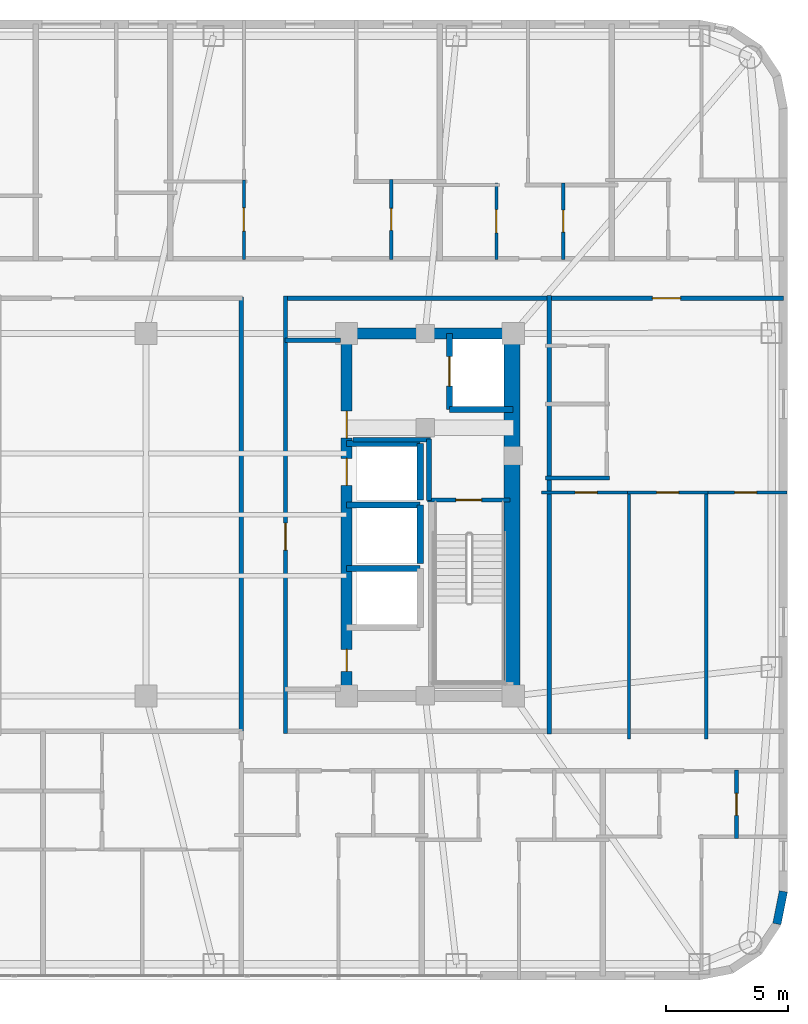
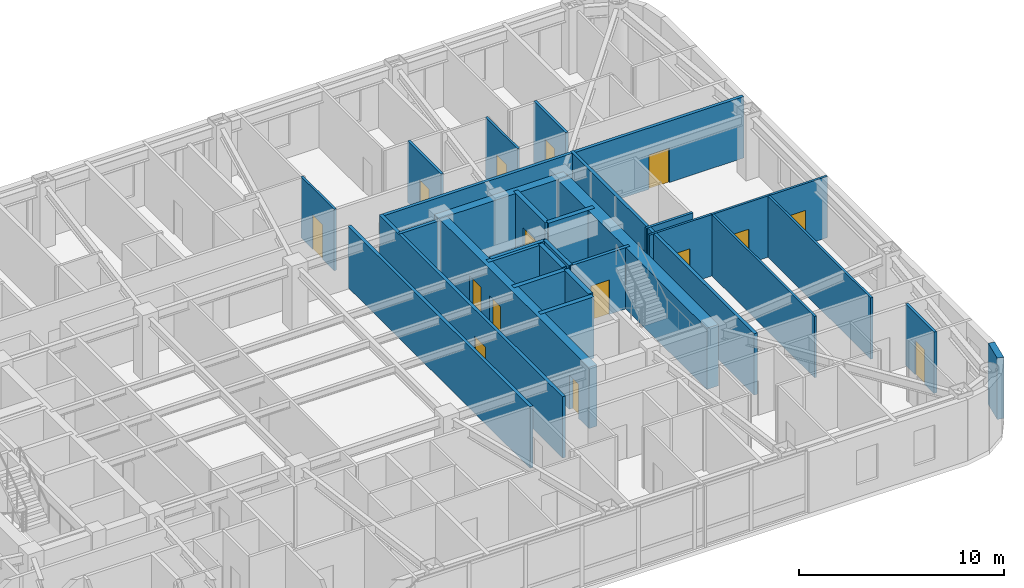
# One storey, part 12 of 17: 30 walls, 15 doors, 15 openings.
"""IFC4 building model written with IfcOpenShell, lengths in metres."""

from ifc_helpers import new_model, si_unit, direction, frame, frame_2d, origin, place, context, subcontext, project, spatial, rectangle, extrude, material, layer, layer_set, type_object, element, fill, save


model = new_model("IFC4")

# Units and contexts
model_context = context("Model", 3, precision=1e-05, world=origin(), true_north=direction((0.0, 1.0)))
body_context = subcontext(model_context, "Body", "Model", "MODEL_VIEW")
ifc_project = project(units=[si_unit("LENGTHUNIT", "METRE"), si_unit("AREAUNIT", "SQUARE_METRE"), si_unit("VOLUMEUNIT", "CUBIC_METRE"), si_unit("PLANEANGLEUNIT", "RADIAN"), si_unit("MASSUNIT", "GRAM", prefix="KILO")], contexts=[model_context])

# Site, building, storey
site_placement = place(None, origin())
site = spatial("IfcSite", under=ifc_project, at=site_placement, CompositionType="ELEMENT")
building_placement = place(site_placement, origin())
building = spatial("IfcBuilding", under=site, at=building_placement, Name="Voryun Gate Residences", CompositionType="ELEMENT")
storey_placement = place(building_placement, frame((0.0, 0.0, 204.10009765625)))
storey = spatial("IfcBuildingStorey", under=building, at=storey_placement, Name="L50", CompositionType="ELEMENT", Elevation=204.10009765625)

# Wall
ifc_material_1 = material(Name="Concrete C50/60", Category="concrete")
ifc_layer_1 = layer(ifc_material_1, 0.449951171875, Name="CW_CORE_450")
ifc_layer_set_1 = layer_set([ifc_layer_1], Name="Concrete C50/60")
wall_type_1 = type_object("IfcWallType", Name="CW_CORE_450", PredefinedType="SHEAR", material=ifc_layer_set_1)
wall_1_placement = place(storey_placement, frame((12.175048828125, 7.39990234375, 0.0), z_axis=(0.0, 0.0, 1.0), x_axis=(1.0, 0.0, 0.0)))
element("IfcWall", 1, at=wall_1_placement, inside=storey, type_object=wall_type_1, Name="L50 Core shear wall CW-L50-EN", PredefinedType="SHEAR", context=body_context, shape_type="SweptSolid", body=[
    extrude(rectangle(XDim=7.25, YDim=0.449951171875, at=frame_2d((3.625, 0.0))), origin(), (0.0, 0.0, 1.0), 3.64990234375),
])

# Wall, openings, doors
wall_2_placement = place(storey_placement, frame((12.39990234375, -7.39990234375, 0.0), z_axis=(0.0, 0.0, 1.0), x_axis=(0.0, 1.0, 0.0)))
wall_2 = element("IfcWall", 2, at=wall_2_placement, inside=storey, type_object=wall_type_1, Name="L50 Core shear wall CW-L50-EW", PredefinedType="SHEAR", context=body_context, shape_type="SweptSolid", body=[
    extrude(rectangle(XDim=14.7998046875, YDim=0.449951171875, at=frame_2d((7.39990234375, 0.0))), origin(), (0.0, 0.0, 1.0), 3.64990234375),
])
opening_1_placement = place(wall_2_placement, frame((8.60009765625, 0.0, 0.0)))
opening_1 = element("IfcOpeningElement", 3, at=opening_1_placement, cuts=wall_2, Name="Opening LD2", PredefinedType="OPENING", context=body_context, shape_type="SweptSolid", body=[
    extrude(rectangle(XDim=1.10009765625, YDim=2.050048828125, at=frame_2d((0.550048828125, 1.02490234375))), frame((0.0, 0.235107421875, 0.0), z_axis=(0.0, -1.0, 0.0), x_axis=(1.0, 0.0, 0.0)), (0.0, 0.0, 1.0), 0.469970703125),
])
opening_2_placement = place(wall_2_placement, frame((10.530029296875, 0.0, 0.0)))
opening_2 = element("IfcOpeningElement", 4, at=opening_2_placement, cuts=wall_2, Name="Opening D-FD60-2", PredefinedType="OPENING", context=body_context, shape_type="SweptSolid", body=[
    extrude(rectangle(XDim=1.10009765625, YDim=2.050048828125, at=frame_2d((0.550048828125, 1.02490234375))), frame((0.0, 0.235107421875, 0.0), z_axis=(0.0, -1.0, 0.0), x_axis=(1.0, 0.0, 0.0)), (0.0, 0.0, 1.0), 0.469970703125),
])
opening_3_placement = place(wall_2_placement, frame((1.0, 0.0, 0.0)))
opening_3 = element("IfcOpeningElement", 5, at=opening_3_placement, cuts=wall_2, Name="Opening D-FD60-4", PredefinedType="OPENING", context=body_context, shape_type="SweptSolid", body=[
    extrude(rectangle(XDim=0.89990234375, YDim=2.050048828125, at=frame_2d((0.449951171875, 1.02490234375))), frame((0.0, 0.235107421875, 0.0), z_axis=(0.0, -1.0, 0.0), x_axis=(1.0, 0.0, 0.0)), (0.0, 0.0, 1.0), 0.469970703125),
])
ifc_material_2 = material(Name="Painted steel fire door", Category="steel")
door_type_1 = type_object("IfcDoorType", Name="DR_FD60_FFLOB_1100", OperationType="NOTDEFINED", PredefinedType="DOOR", material=ifc_material_2)
door_1_placement = place(opening_2_placement, origin())
door_1 = element("IfcDoor", 6, at=door_1_placement, inside=storey, type_object=door_type_1, Name="Door DR-L50-CLOB-E", OperationType="SINGLE_SWING_RIGHT", OverallHeight=2.050048828125, OverallWidth=1.10009765625, PredefinedType="DOOR", context=body_context, shape_type="SweptSolid", body=[
    extrude(rectangle(XDim=1.10009765625, YDim=2.050048828125, at=frame_2d((0.550048828125, 1.02490234375))), frame((0.0, 0.02490234375, 0.0), z_axis=(0.0, -1.0, 0.0), x_axis=(1.0, 0.0, 0.0)), (0.0, 0.0, 1.0), 0.050048828125),
])
fill(opening_2, door_1)
ifc_material_3 = material(Name="Painted steel fire door", Category="steel")
door_type_2 = type_object("IfcDoorType", Name="DR_FD60_RISER_900", OperationType="NOTDEFINED", PredefinedType="DOOR", material=ifc_material_3)
door_2_placement = place(opening_3_placement, origin())
door_2 = element("IfcDoor", 7, at=door_2_placement, inside=storey, type_object=door_type_2, Name="Door DR-L50-RECE1", OperationType="SINGLE_SWING_RIGHT", OverallHeight=2.050048828125, OverallWidth=0.89990234375, PredefinedType="DOOR", context=body_context, shape_type="SweptSolid", body=[
    extrude(rectangle(XDim=0.89990234375, YDim=2.050048828125, at=frame_2d((0.449951171875, 1.02490234375))), frame((0.0, 0.02490234375, 0.0), z_axis=(0.0, -1.0, 0.0), x_axis=(1.0, 0.0, 0.0)), (0.0, 0.0, 1.0), 0.050048828125),
])
fill(opening_3, door_2)
ifc_material_4 = material(Name="Anodised aluminium", Category="aluminium")
door_type_3 = type_object("IfcDoorType", Name="DR_LD_PASS_1100", OperationType="NOTDEFINED", PredefinedType="DOOR", material=ifc_material_4)
door_3_placement = place(opening_1_placement, origin())
door_3 = element("IfcDoor", 8, at=door_3_placement, inside=storey, type_object=door_type_3, Name="Lift EL-P8 sliding landing door L50", OperationType="SLIDING_TO_LEFT", OverallHeight=2.050048828125, OverallWidth=1.10009765625, PredefinedType="DOOR", context=body_context, shape_type="SweptSolid", body=[
    extrude(rectangle(XDim=1.10009765625, YDim=2.050048828125, at=frame_2d((0.550048828125, 1.02490234375))), frame((0.0, 0.02490234375, 0.0), z_axis=(0.0, -1.0, 0.0), x_axis=(1.0, 0.0, 0.0)), (0.0, 0.0, 1.0), 0.050048828125),
])
fill(opening_1, door_3)

# Wall
ifc_material_5 = material(Name="Concrete C60/75", Category="concrete")
ifc_layer_2 = layer(ifc_material_5, 0.64990234375, Name="CW_CORE_650")
ifc_layer_set_2 = layer_set([ifc_layer_2], Name="Concrete C60/75")
wall_type_2 = type_object("IfcWallType", Name="CW_CORE_650", PredefinedType="SHEAR", material=ifc_layer_set_2)
wall_3_placement = place(storey_placement, frame((19.14501953125, -7.39990234375, 0.0), z_axis=(0.0, 0.0, 1.0), x_axis=(0.0, 1.0, 0.0)))
element("IfcWall", 9, at=wall_3_placement, inside=storey, type_object=wall_type_2, Name="L50 Core shear wall CW-L50-EE", PredefinedType="SHEAR", context=body_context, shape_type="SweptSolid", body=[
    extrude(rectangle(XDim=14.7998046875, YDim=0.64990234375, at=frame_2d((7.39990234375, 0.0))), origin(), (0.0, 0.0, 1.0), 3.64990234375),
])

# Wall, opening, door
ifc_material_6 = material(Name="Gypsum acoustic fireboard")
ifc_layer_3 = layer(ifc_material_6, 0.179931640625, Name="W_CORR_RATED_180")
ifc_layer_set_3 = layer_set([ifc_layer_3], Name="Gypsum acoustic fireboard")
wall_type_3 = type_object("IfcWallType", Name="W_CORR_RATED_180", PredefinedType="PARTITIONING", material=ifc_layer_set_3)
wall_4_placement = place(storey_placement, frame((15.699951171875, 0.60009765625, 0.0), z_axis=(0.0, 0.0, 1.0), x_axis=(1.0, 0.0, 0.0)))
wall_4 = element("IfcWall", 10, at=wall_4_placement, inside=storey, type_object=wall_type_3, Name="Partition wall WP-L50-STV-E", PredefinedType="PARTITIONING", context=body_context, shape_type="SweptSolid", body=[
    extrude(rectangle(XDim=3.360107421875, YDim=0.179931640625, at=frame_2d((1.68017578125, 0.0))), origin(), (0.0, 0.0, 1.0), 3.64990234375),
])
opening_4_placement = place(wall_4_placement, frame((1.155029296875, 0.0, 0.0)))
opening_4 = element("IfcOpeningElement", 11, at=opening_4_placement, cuts=wall_4, Name="Opening D-FD60-1", PredefinedType="OPENING", context=body_context, shape_type="SweptSolid", body=[
    extrude(rectangle(XDim=1.050048828125, YDim=2.050048828125, at=frame_2d((0.52490234375, 1.02490234375))), frame((0.0, 0.099853515625, 0.0), z_axis=(0.0, -1.0, 0.0), x_axis=(1.0, 0.0, 0.0)), (0.0, 0.0, 1.0), 0.199951171875),
])
ifc_material_7 = material(Name="Painted steel fire door", Category="steel")
door_type_4 = type_object("IfcDoorType", Name="DR_FD60_STAIR_1050", OperationType="NOTDEFINED", PredefinedType="DOOR", material=ifc_material_7)
door_4_placement = place(opening_4_placement, origin())
door_4 = element("IfcDoor", 12, at=door_4_placement, inside=storey, type_object=door_type_4, Name="Door DR-L50-ST-E", OperationType="SINGLE_SWING_RIGHT", OverallHeight=2.050048828125, OverallWidth=1.050048828125, PredefinedType="DOOR", context=body_context, shape_type="SweptSolid", body=[
    extrude(rectangle(XDim=1.050048828125, YDim=2.050048828125, at=frame_2d((0.52490234375, 1.02490234375))), frame((0.0, 0.02490234375, 0.0), z_axis=(0.0, -1.0, 0.0), x_axis=(1.0, 0.0, 0.0)), (0.0, 0.0, 1.0), 0.050048828125),
])
fill(opening_4, door_4)

# Wall
wall_5_placement = place(storey_placement, frame((9.8798828125, 7.1201171875, 0.0), z_axis=(0.0, 0.0, 1.0), x_axis=(1.0, 0.0, 0.0)))
element("IfcWall", 13, at=wall_5_placement, inside=storey, type_object=wall_type_3, Name="Partition wall WP-L50-PLBN-E", PredefinedType="PARTITIONING", context=body_context, shape_type="SweptSolid", body=[
    extrude(rectangle(XDim=2.27001953125, YDim=0.179931640625, at=frame_2d((1.135009765625, 0.0))), origin(), (0.0, 0.0, 1.0), 3.64990234375),
])

# Wall, opening, door
wall_6_placement = place(storey_placement, frame((9.89990234375, -8.929931640625, 0.0), z_axis=(0.0, 0.0, 1.0), x_axis=(0.0, 1.0, 0.0)))
wall_6 = element("IfcWall", 14, at=wall_6_placement, inside=storey, type_object=wall_type_3, Name="Partition wall WP-L50-PLBE-FULL", PredefinedType="PARTITIONING", context=body_context, shape_type="SweptSolid", body=[
    extrude(rectangle(XDim=17.85986328125, YDim=0.179931640625, at=frame_2d((8.929931640625, 0.0))), origin(), (0.0, 0.0, 1.0), 3.64990234375),
])
opening_5_placement = place(wall_6_placement, frame((7.487060546875, 0.0, 0.0)))
opening_5 = element("IfcOpeningElement", 15, at=opening_5_placement, cuts=wall_6, Name="Opening D-FD60-2", PredefinedType="OPENING", context=body_context, shape_type="SweptSolid", body=[
    extrude(rectangle(XDim=1.10009765625, YDim=2.050048828125, at=frame_2d((0.550048828125, 1.02490234375))), frame((0.0, 0.099853515625, 0.0), z_axis=(0.0, -1.0, 0.0), x_axis=(1.0, 0.0, 0.0)), (0.0, 0.0, 1.0), 0.199951171875),
])
door_5_placement = place(opening_5_placement, origin())
door_5 = element("IfcDoor", 16, at=door_5_placement, inside=storey, type_object=door_type_1, Name="Door DR-L50-PLBE-COR", OperationType="SINGLE_SWING_RIGHT", OverallHeight=2.050048828125, OverallWidth=1.10009765625, PredefinedType="DOOR", context=body_context, shape_type="SweptSolid", body=[
    extrude(rectangle(XDim=1.10009765625, YDim=2.050048828125, at=frame_2d((0.550048828125, 1.02490234375))), frame((0.0, 0.02490234375, 0.0), z_axis=(0.0, -1.0, 0.0), x_axis=(1.0, 0.0, 0.0)), (0.0, 0.0, 1.0), 0.050048828125),
])
fill(opening_5, door_5)

wall_7_placement = place(storey_placement, frame((9.8798828125, 8.840087890625, 0.0), z_axis=(0.0, 0.0, 1.0), x_axis=(1.0, 0.0, 0.0)))
wall_7 = element("IfcWall", 17, at=wall_7_placement, inside=storey, type_object=wall_type_3, Name="Partition wall WP-L50-CWING-EN", PredefinedType="PARTITIONING", context=body_context, shape_type="SweptSolid", body=[
    extrude(rectangle(XDim=20.35009765625, YDim=0.179931640625, at=frame_2d((10.175048828125, 0.0))), origin(), (0.0, 0.0, 1.0), 3.64990234375),
])
opening_6_placement = place(wall_7_placement, frame((15.0009765625, 0.0, 0.0)))
opening_6 = element("IfcOpeningElement", 18, at=opening_6_placement, cuts=wall_7, Name="Opening D-UNIT-1", PredefinedType="OPENING", context=body_context, shape_type="SweptSolid", body=[
    extrude(rectangle(XDim=1.14990234375, YDim=2.050048828125, at=frame_2d((0.574951171875, 1.02490234375))), frame((0.0, 0.099853515625, 0.0), z_axis=(0.0, -1.0, 0.0), x_axis=(1.0, 0.0, 0.0)), (0.0, 0.0, 1.0), 0.199951171875),
])
ifc_material_8 = material(Name="Armoured timber-clad fire door", Category="wood")
door_type_5 = type_object("IfcDoorType", Name="DR_UNIT_ENTRY_1150", OperationType="NOTDEFINED", PredefinedType="DOOR", material=ifc_material_8)
door_6_placement = place(opening_6_placement, origin())
door_6 = element("IfcDoor", 19, at=door_6_placement, inside=storey, type_object=door_type_5, Name="Door DR-L50-EE1N", OperationType="SINGLE_SWING_LEFT", OverallHeight=2.050048828125, OverallWidth=1.14990234375, PredefinedType="DOOR", context=body_context, shape_type="SweptSolid", body=[
    extrude(rectangle(XDim=1.14990234375, YDim=2.050048828125, at=frame_2d((0.574951171875, 1.02490234375))), frame((0.0, 0.02490234375, 0.0), z_axis=(0.0, -1.0, 0.0), x_axis=(1.0, 0.0, 0.0)), (0.0, 0.0, 1.0), 0.050048828125),
])
fill(opening_6, door_6)

# Walls
wall_8_placement = place(storey_placement, frame((8.10009765625, -8.8798828125, 0.0), z_axis=(0.0, 0.0, 1.0), x_axis=(0.0, 1.0, 0.0)))
element("IfcWall", 20, at=wall_8_placement, inside=storey, type_object=wall_type_3, Name="Partition wall WP-L50-Z3E", PredefinedType="PARTITIONING", context=body_context, shape_type="SweptSolid", body=[
    extrude(rectangle(XDim=17.759765625, YDim=0.179931640625, at=frame_2d((8.8798828125, 0.0))), origin(), (0.0, 0.0, 1.0), 3.64990234375),
])
wall_9_placement = place(storey_placement, frame((20.669921875, -8.9599609375, 0.0), z_axis=(0.0, 0.0, 1.0), x_axis=(0.0, 1.0, 0.0)))
element("IfcWall", 21, at=wall_9_placement, inside=storey, type_object=wall_type_3, Name="Partition wall WP-L50-ECOR", PredefinedType="PARTITIONING", context=body_context, shape_type="SweptSolid", body=[
    extrude(rectangle(XDim=17.919921875, YDim=0.179931640625, at=frame_2d((8.9599609375, 0.0))), origin(), (0.0, 0.0, 1.0), 3.64990234375),
])
ifc_material_9 = material(Name="Charcoal terracotta masonry", Category="masonry")
ifc_layer_4 = layer(ifc_material_9, 0.340087890625, Name="W_EXT_TERRACOTTA_340")
ifc_layer_set_4 = layer_set([ifc_layer_4], Name="Charcoal terracotta masonry")
wall_type_4 = type_object("IfcWallType", Name="W_EXT_TERRACOTTA_340", PredefinedType="ELEMENTEDWALL", material=ifc_layer_set_4)
wall_10_placement = place(storey_placement, frame((30.22998046875, -15.38330078125, 0.0), z_axis=(0.0, 0.0, 1.0), x_axis=(-0.195110379894, -0.98078129043, 0.0)))
element("IfcWall", 22, at=wall_10_placement, inside=storey, type_object=wall_type_4, Name="Exterior wall WEXT-L50-17", PredefinedType="ELEMENTEDWALL", context=body_context, shape_type="SweptSolid", body=[
    extrude(rectangle(XDim=1.35400390625, YDim=0.340087890625, at=frame_2d((0.677001953125, 0.0))), origin(), (0.0, 0.0, 1.0), 3.64990234375),
])
ifc_material_10 = material(Name="Concrete C40/50", Category="concrete")
ifc_layer_5 = layer(ifc_material_10, 0.199951171875, Name="W_FF_LOBBY_200")
ifc_layer_set_5 = layer_set([ifc_layer_5], Name="Concrete C40/50")
wall_type_5 = type_object("IfcWallType", Name="W_FF_LOBBY_200", PredefinedType="PARTITIONING", material=ifc_layer_set_5)
wall_11_placement = place(storey_placement, frame((15.760009765625, 0.580078125, 0.0), z_axis=(0.0, 0.0, 1.0), x_axis=(0.0, 1.0, 0.0)))
element("IfcWall", 23, at=wall_11_placement, inside=storey, type_object=wall_type_5, Name="Partition wall WP-L50-FFP0-E", PredefinedType="PARTITIONING", context=body_context, shape_type="SweptSolid", body=[
    extrude(rectangle(XDim=2.52001953125, YDim=0.199951171875, at=frame_2d((1.260009765625, 0.0))), origin(), (0.0, 0.0, 1.0), 3.64990234375),
])
wall_12_placement = place(storey_placement, frame((12.659912109375, 3.06005859375, 0.0), z_axis=(0.0, 0.0, 1.0), x_axis=(1.0, 0.0, 0.0)))
element("IfcWall", 24, at=wall_12_placement, inside=storey, type_object=wall_type_5, Name="Partition wall WP-L50-FFPS-E", PredefinedType="PARTITIONING", context=body_context, shape_type="SweptSolid", body=[
    extrude(rectangle(XDim=3.16015625, YDim=0.199951171875, at=frame_2d((1.580078125, 0.0))), origin(), (0.0, 0.0, 1.0), 3.64990234375),
])
ifc_material_11 = material(Name="Concrete C50/60", Category="concrete")
ifc_layer_6 = layer(ifc_material_11, 0.25, Name="W_SHAFT_RC250")
ifc_layer_set_6 = layer_set([ifc_layer_6], Name="Concrete C50/60")
wall_type_6 = type_object("IfcWallType", Name="W_SHAFT_RC250", PredefinedType="SOLIDWALL", material=ifc_layer_set_6)
wall_13_placement = place(storey_placement, frame((16.60009765625, 4.300048828125, 0.0), z_axis=(0.0, 0.0, 1.0), x_axis=(1.0, 0.0, 0.0)))
element("IfcWall", 25, at=wall_13_placement, inside=storey, type_object=wall_type_6, Name="Lift shaft wall WSH-L50-EL-FF-E1-S", PredefinedType="SOLIDWALL", context=body_context, shape_type="SweptSolid", body=[
    extrude(rectangle(XDim=2.599853515625, YDim=0.25, at=frame_2d((1.2998046875, 0.0))), origin(), (0.0, 0.0, 1.0), 3.64990234375),
])

# Wall, opening, door
wall_14_placement = place(storey_placement, frame((16.60009765625, 7.39990234375, 0.0), z_axis=(0.0, 0.0, 1.0), x_axis=(0.0, -1.0, 0.0)))
wall_14 = element("IfcWall", 26, at=wall_14_placement, inside=storey, type_object=wall_type_6, Name="Lift shaft wall WSH-L50-EL-FF-E1-W", PredefinedType="SOLIDWALL", context=body_context, shape_type="SweptSolid", body=[
    extrude(rectangle(XDim=3.099853515625, YDim=0.25, at=frame_2d((1.5498046875, 0.0))), origin(), (0.0, 0.0, 1.0), 3.64990234375),
])
opening_7_placement = place(wall_14_placement, frame((0.949951171875, 0.0, 0.0)))
opening_7 = element("IfcOpeningElement", 27, at=opening_7_placement, cuts=wall_14, Name="Opening LD1", PredefinedType="OPENING", context=body_context, shape_type="SweptSolid", body=[
    extrude(rectangle(XDim=1.199951171875, YDim=2.050048828125, at=frame_2d((0.60009765625, 1.02490234375))), frame((0.0, 0.135009765625, 0.0), z_axis=(0.0, -1.0, 0.0), x_axis=(1.0, 0.0, 0.0)), (0.0, 0.0, 1.0), 0.27001953125),
])
ifc_material_12 = material(Name="Anodised aluminium", Category="aluminium")
door_type_6 = type_object("IfcDoorType", Name="DR_LD_FF_1200", OperationType="NOTDEFINED", PredefinedType="DOOR", material=ifc_material_12)
door_7_placement = place(opening_7_placement, origin())
door_7 = element("IfcDoor", 28, at=door_7_placement, inside=storey, type_object=door_type_6, Name="Lift EL-FF-E1 sliding landing door L50", OperationType="SLIDING_TO_LEFT", OverallHeight=2.050048828125, OverallWidth=1.199951171875, PredefinedType="DOOR", context=body_context, shape_type="SweptSolid", body=[
    extrude(rectangle(XDim=1.199951171875, YDim=2.050048828125, at=frame_2d((0.60009765625, 1.02490234375))), frame((0.0, 0.02490234375, 0.0), z_axis=(0.0, -1.0, 0.0), x_axis=(1.0, 0.0, 0.0)), (0.0, 0.0, 1.0), 0.050048828125),
])
fill(opening_7, door_7)

# Walls
wall_15_placement = place(storey_placement, frame((15.39990234375, -2.199951171875, 0.0), z_axis=(0.0, 0.0, 1.0), x_axis=(-1.0, 0.0, 0.0)))
element("IfcWall", 29, at=wall_15_placement, inside=storey, type_object=wall_type_6, Name="Lift shaft wall WSH-L50-EL-P5-N", PredefinedType="SOLIDWALL", context=body_context, shape_type="SweptSolid", body=[
    extrude(rectangle(XDim=3.0, YDim=0.25, at=frame_2d((1.5, 0.0))), origin(), (0.0, 0.0, 1.0), 3.64990234375),
])
wall_16_placement = place(storey_placement, frame((15.39990234375, -2.0, 0.0), z_axis=(0.0, 0.0, 1.0), x_axis=(0.0, 1.0, 0.0)))
element("IfcWall", 30, at=wall_16_placement, inside=storey, type_object=wall_type_6, Name="Lift shaft wall WSH-L50-EL-P6-E", PredefinedType="SOLIDWALL", context=body_context, shape_type="SweptSolid", body=[
    extrude(rectangle(XDim=2.39990234375, YDim=0.25, at=frame_2d((1.199951171875, 0.0))), origin(), (0.0, 0.0, 1.0), 3.64990234375),
])
wall_17_placement = place(storey_placement, frame((15.39990234375, 0.39990234375, 0.0), z_axis=(0.0, 0.0, 1.0), x_axis=(-1.0, 0.0, 0.0)))
element("IfcWall", 31, at=wall_17_placement, inside=storey, type_object=wall_type_6, Name="Lift shaft wall WSH-L50-EL-P6-N", PredefinedType="SOLIDWALL", context=body_context, shape_type="SweptSolid", body=[
    extrude(rectangle(XDim=3.0, YDim=0.25, at=frame_2d((1.5, 0.0))), origin(), (0.0, 0.0, 1.0), 3.64990234375),
])
wall_18_placement = place(storey_placement, frame((15.39990234375, 0.60009765625, 0.0), z_axis=(0.0, 0.0, 1.0), x_axis=(0.0, 1.0, 0.0)))
element("IfcWall", 32, at=wall_18_placement, inside=storey, type_object=wall_type_6, Name="Lift shaft wall WSH-L50-EL-P8-E", PredefinedType="SOLIDWALL", context=body_context, shape_type="SweptSolid", body=[
    extrude(rectangle(XDim=2.2998046875, YDim=0.25, at=frame_2d((1.14990234375, 0.0))), origin(), (0.0, 0.0, 1.0), 3.64990234375),
])
wall_19_placement = place(storey_placement, frame((15.39990234375, 2.89990234375, 0.0), z_axis=(0.0, 0.0, 1.0), x_axis=(-1.0, 0.0, 0.0)))
element("IfcWall", 33, at=wall_19_placement, inside=storey, type_object=wall_type_6, Name="Lift shaft wall WSH-L50-EL-P8-N", PredefinedType="SOLIDWALL", context=body_context, shape_type="SweptSolid", body=[
    extrude(rectangle(XDim=3.0, YDim=0.25, at=frame_2d((1.5, 0.0))), origin(), (0.0, 0.0, 1.0), 3.64990234375),
])

# Wall, opening, door
ifc_material_13 = material(Name="Gypsum acoustic partition")
ifc_layer_7 = layer(ifc_material_13, 0.125, Name="W_UNIT_PART_125")
ifc_layer_set_7 = layer_set([ifc_layer_7], Name="Gypsum acoustic partition")
wall_type_7 = type_object("IfcWallType", Name="W_UNIT_PART_125", PredefinedType="PARTITIONING", material=ifc_layer_set_7)
wall_20_placement = place(storey_placement, frame((8.197998046875, 10.429931640625, 0.0), z_axis=(0.0, 0.0, 1.0), x_axis=(0.0, 1.0, 0.0)))
wall_20 = element("IfcWall", 34, at=wall_20_placement, inside=storey, type_object=wall_type_7, Name="Partition wall WP-L50-N6-IVK", PredefinedType="PARTITIONING", context=body_context, shape_type="SweptSolid", body=[
    extrude(rectangle(XDim=3.235595703125, YDim=0.125, at=frame_2d((1.61767578125, 0.0))), origin(), (0.0, 0.0, 1.0), 3.64990234375),
])
opening_8_placement = place(wall_20_placement, frame((1.151611328125, 0.0, 0.0)))
opening_8 = element("IfcOpeningElement", 35, at=opening_8_placement, cuts=wall_20, Name="Opening D-INT-1", PredefinedType="OPENING", context=body_context, shape_type="SweptSolid", body=[
    extrude(rectangle(XDim=0.949951171875, YDim=2.050048828125, at=frame_2d((0.47509765625, 1.02490234375))), frame((0.0, 0.072509765625, 0.0), z_axis=(0.0, -1.0, 0.0), x_axis=(1.0, 0.0, 0.0)), (0.0, 0.0, 1.0), 0.14501953125),
])
ifc_material_14 = material(Name="Architectural oak veneer")
door_type_7 = type_object("IfcDoorType", Name="DR_INT_ROOM_950", OperationType="NOTDEFINED", PredefinedType="DOOR", material=ifc_material_14)
door_8_placement = place(opening_8_placement, origin())
door_8 = element("IfcDoor", 36, at=door_8_placement, inside=storey, type_object=door_type_7, Name="Door DR-L50-N6-DK", OperationType="SINGLE_SWING_LEFT", OverallHeight=2.050048828125, OverallWidth=0.949951171875, PredefinedType="DOOR", context=body_context, shape_type="SweptSolid", body=[
    extrude(rectangle(XDim=0.949951171875, YDim=2.050048828125, at=frame_2d((0.47509765625, 1.02490234375))), frame((0.0, 0.02490234375, 0.0), z_axis=(0.0, -1.0, 0.0), x_axis=(1.0, 0.0, 0.0)), (0.0, 0.0, 1.0), 0.050048828125),
])
fill(opening_8, door_8)

wall_21_placement = place(storey_placement, frame((18.510009765625, 10.429931640625, 0.0), z_axis=(0.0, 0.0, 1.0), x_axis=(0.0, 1.0, 0.0)))
wall_21 = element("IfcWall", 37, at=wall_21_placement, inside=storey, type_object=wall_type_7, Name="Partition wall WP-L50-N7-IVK", PredefinedType="PARTITIONING", context=body_context, shape_type="SweptSolid", body=[
    extrude(rectangle(XDim=3.110107421875, YDim=0.125, at=frame_2d((1.55517578125, 0.0))), origin(), (0.0, 0.0, 1.0), 3.64990234375),
])
opening_9_placement = place(wall_21_placement, frame((1.080078125, 0.0, 0.0)))
opening_9 = element("IfcOpeningElement", 38, at=opening_9_placement, cuts=wall_21, Name="Opening D-INT-1", PredefinedType="OPENING", context=body_context, shape_type="SweptSolid", body=[
    extrude(rectangle(XDim=0.949951171875, YDim=2.050048828125, at=frame_2d((0.47509765625, 1.02490234375))), frame((0.0, 0.072509765625, 0.0), z_axis=(0.0, -1.0, 0.0), x_axis=(1.0, 0.0, 0.0)), (0.0, 0.0, 1.0), 0.14501953125),
])
door_9_placement = place(opening_9_placement, origin())
door_9 = element("IfcDoor", 39, at=door_9_placement, inside=storey, type_object=door_type_7, Name="Door DR-L50-N7-DK", OperationType="SINGLE_SWING_LEFT", OverallHeight=2.050048828125, OverallWidth=0.949951171875, PredefinedType="DOOR", context=body_context, shape_type="SweptSolid", body=[
    extrude(rectangle(XDim=0.949951171875, YDim=2.050048828125, at=frame_2d((0.47509765625, 1.02490234375))), frame((0.0, 0.02490234375, 0.0), z_axis=(0.0, -1.0, 0.0), x_axis=(1.0, 0.0, 0.0)), (0.0, 0.0, 1.0), 0.050048828125),
])
fill(opening_9, door_9)

wall_22_placement = place(storey_placement, frame((20.35009765625, 0.909912109375, 0.0), z_axis=(0.0, 0.0, 1.0), x_axis=(1.0, 0.0, 0.0)))
wall_22 = element("IfcWall", 40, at=wall_22_placement, inside=storey, type_object=wall_type_7, Name="Partition wall WP-L50-E1-HZMB1", PredefinedType="PARTITIONING", context=body_context, shape_type="SweptSolid", body=[
    extrude(rectangle(XDim=3.635498046875, YDim=0.125, at=frame_2d((1.81787109375, 0.0))), origin(), (0.0, 0.0, 1.0), 3.64990234375),
])
opening_10_placement = place(wall_22_placement, frame((1.37646484375, 0.0, 0.0)))
opening_10 = element("IfcOpeningElement", 41, at=opening_10_placement, cuts=wall_22, Name="Opening D-INT-2", PredefinedType="OPENING", context=body_context, shape_type="SweptSolid", body=[
    extrude(rectangle(XDim=0.89990234375, YDim=2.050048828125, at=frame_2d((0.449951171875, 1.02490234375))), frame((0.0, 0.072509765625, 0.0), z_axis=(0.0, -1.0, 0.0), x_axis=(1.0, 0.0, 0.0)), (0.0, 0.0, 1.0), 0.14501953125),
])
ifc_material_15 = material(Name="Architectural oak veneer")
door_type_8 = type_object("IfcDoorType", Name="DR_INT_BATH_900", OperationType="NOTDEFINED", PredefinedType="DOOR", material=ifc_material_15)
door_10_placement = place(opening_10_placement, origin())
door_10 = element("IfcDoor", 42, at=door_10_placement, inside=storey, type_object=door_type_8, Name="Door DR-L50-E1-DMB", OperationType="SINGLE_SWING_LEFT", OverallHeight=2.050048828125, OverallWidth=0.89990234375, PredefinedType="DOOR", context=body_context, shape_type="SweptSolid", body=[
    extrude(rectangle(XDim=0.89990234375, YDim=2.050048828125, at=frame_2d((0.449951171875, 1.02490234375))), frame((0.0, 0.02490234375, 0.0), z_axis=(0.0, -1.0, 0.0), x_axis=(1.0, 0.0, 0.0)), (0.0, 0.0, 1.0), 0.050048828125),
])
fill(opening_10, door_10)

wall_23_placement = place(storey_placement, frame((23.860595703125, 0.909912109375, 0.0), z_axis=(0.0, 0.0, 1.0), x_axis=(1.0, 0.0, 0.0)))
wall_23 = element("IfcWall", 43, at=wall_23_placement, inside=storey, type_object=wall_type_7, Name="Partition wall WP-L50-E1-HZMB2", PredefinedType="PARTITIONING", context=body_context, shape_type="SweptSolid", body=[
    extrude(rectangle(XDim=3.281982421875, YDim=0.125, at=frame_2d((1.64111328125, 0.0))), origin(), (0.0, 0.0, 1.0), 3.64990234375),
])
opening_11_placement = place(wall_23_placement, frame((1.19091796875, 0.0, 0.0)))
opening_11 = element("IfcOpeningElement", 44, at=opening_11_placement, cuts=wall_23, Name="Opening D-INT-2", PredefinedType="OPENING", context=body_context, shape_type="SweptSolid", body=[
    extrude(rectangle(XDim=0.89990234375, YDim=2.050048828125, at=frame_2d((0.449951171875, 1.02490234375))), frame((0.0, 0.072509765625, 0.0), z_axis=(0.0, -1.0, 0.0), x_axis=(1.0, 0.0, 0.0)), (0.0, 0.0, 1.0), 0.14501953125),
])
door_11_placement = place(opening_11_placement, origin())
door_11 = element("IfcDoor", 45, at=door_11_placement, inside=storey, type_object=door_type_8, Name="Door DR-L50-E1-DBD2", OperationType="SINGLE_SWING_RIGHT", OverallHeight=2.050048828125, OverallWidth=0.89990234375, PredefinedType="DOOR", context=body_context, shape_type="SweptSolid", body=[
    extrude(rectangle(XDim=0.89990234375, YDim=2.050048828125, at=frame_2d((0.449951171875, 1.02490234375))), frame((0.0, 0.02490234375, 0.0), z_axis=(0.0, -1.0, 0.0), x_axis=(1.0, 0.0, 0.0)), (0.0, 0.0, 1.0), 0.050048828125),
])
fill(opening_11, door_11)

wall_24_placement = place(storey_placement, frame((27.017578125, 0.909912109375, 0.0), z_axis=(0.0, 0.0, 1.0), x_axis=(1.0, 0.0, 0.0)))
wall_24 = element("IfcWall", 46, at=wall_24_placement, inside=storey, type_object=wall_type_7, Name="Partition wall WP-L50-E1-HZMB3", PredefinedType="PARTITIONING", context=body_context, shape_type="SweptSolid", body=[
    extrude(rectangle(XDim=3.3623046875, YDim=0.125, at=frame_2d((1.68115234375, 0.0))), origin(), (0.0, 0.0, 1.0), 3.64990234375),
])
opening_12_placement = place(wall_24_placement, frame((1.222412109375, 0.0, 0.0)))
opening_12 = element("IfcOpeningElement", 47, at=opening_12_placement, cuts=wall_24, Name="Opening D-INT-2", PredefinedType="OPENING", context=body_context, shape_type="SweptSolid", body=[
    extrude(rectangle(XDim=0.89990234375, YDim=2.050048828125, at=frame_2d((0.449951171875, 1.02490234375))), frame((0.0, 0.072509765625, 0.0), z_axis=(0.0, -1.0, 0.0), x_axis=(1.0, 0.0, 0.0)), (0.0, 0.0, 1.0), 0.14501953125),
])
door_12_placement = place(opening_12_placement, origin())
door_12 = element("IfcDoor", 48, at=door_12_placement, inside=storey, type_object=door_type_8, Name="Door DR-L50-E1-DBD3", OperationType="SINGLE_SWING_LEFT", OverallHeight=2.050048828125, OverallWidth=0.89990234375, PredefinedType="DOOR", context=body_context, shape_type="SweptSolid", body=[
    extrude(rectangle(XDim=0.89990234375, YDim=2.050048828125, at=frame_2d((0.449951171875, 1.02490234375))), frame((0.0, 0.02490234375, 0.0), z_axis=(0.0, -1.0, 0.0), x_axis=(1.0, 0.0, 0.0)), (0.0, 0.0, 1.0), 0.050048828125),
])
fill(opening_12, door_12)

# Walls
for number, where, z_axis, x_axis, name in (
    (49, (27.080078125, -9.159912109375, 0.0), (0.0, 0.0, 1.0), (0.0, 1.0, 0.0), "Partition wall WP-L50-E1-VMB2"),
    (50, (23.923095703125, -9.159912109375, 0.0), (0.0, 0.0, 1.0), (0.0, 1.0, 0.0), "Partition wall WP-L50-E1-VMB"),
):
    element("IfcWall", number, at=place(storey_placement, frame(where, z_axis=z_axis, x_axis=x_axis)), inside=storey, type_object=wall_type_7, Name=name, PredefinedType="PARTITIONING", context=body_context, shape_type="SweptSolid", body=[
        extrude(rectangle(XDim=10.1298828125, YDim=0.125, at=frame_2d((5.06494140625, 0.0))), origin(), (0.0, 0.0, 1.0), 3.64990234375),
    ])

# Wall, opening, door
ifc_material_16 = material(Name="Gypsum moisture-resistant partition")
ifc_layer_8 = layer(ifc_material_16, 0.14990234375, Name="W_WET_PLUMB_150")
ifc_layer_set_8 = layer_set([ifc_layer_8], Name="Gypsum moisture-resistant partition")
wall_type_8 = type_object("IfcWallType", Name="W_WET_PLUMB_150", PredefinedType="PLUMBINGWALL", material=ifc_layer_set_8)
wall_25_placement = place(storey_placement, frame((14.219970703125, 10.429931640625, 0.0), z_axis=(0.0, 0.0, 1.0), x_axis=(0.0, 1.0, 0.0)))
wall_25 = element("IfcWall", 51, at=wall_25_placement, inside=storey, type_object=wall_type_8, Name="Partition wall WP-L50-N6-IVB", PredefinedType="PLUMBINGWALL", context=body_context, shape_type="SweptSolid", body=[
    extrude(rectangle(XDim=3.253173828125, YDim=0.14990234375, at=frame_2d((1.62646484375, 0.0))), origin(), (0.0, 0.0, 1.0), 3.64990234375),
])
opening_13_placement = place(wall_25_placement, frame((1.176513671875, 0.0, 0.0)))
opening_13 = element("IfcOpeningElement", 52, at=opening_13_placement, cuts=wall_25, Name="Opening D-INT-2", PredefinedType="OPENING", context=body_context, shape_type="SweptSolid", body=[
    extrude(rectangle(XDim=0.89990234375, YDim=2.050048828125, at=frame_2d((0.449951171875, 1.02490234375))), frame((0.0, 0.0849609375, 0.0), z_axis=(0.0, -1.0, 0.0), x_axis=(1.0, 0.0, 0.0)), (0.0, 0.0, 1.0), 0.169921875),
])
door_13_placement = place(opening_13_placement, origin())
door_13 = element("IfcDoor", 53, at=door_13_placement, inside=storey, type_object=door_type_8, Name="Door DR-L50-N6-DB", OperationType="SINGLE_SWING_RIGHT", OverallHeight=2.050048828125, OverallWidth=0.89990234375, PredefinedType="DOOR", context=body_context, shape_type="SweptSolid", body=[
    extrude(rectangle(XDim=0.89990234375, YDim=2.050048828125, at=frame_2d((0.449951171875, 1.02490234375))), frame((0.0, 0.02490234375, 0.0), z_axis=(0.0, -1.0, 0.0), x_axis=(1.0, 0.0, 0.0)), (0.0, 0.0, 1.0), 0.050048828125),
])
fill(opening_13, door_13)

wall_26_placement = place(storey_placement, frame((21.238037109375, 10.429931640625, 0.0), z_axis=(0.0, 0.0, 1.0), x_axis=(0.0, 1.0, 0.0)))
wall_26 = element("IfcWall", 54, at=wall_26_placement, inside=storey, type_object=wall_type_8, Name="Partition wall WP-L50-N7-IVB", PredefinedType="PLUMBINGWALL", context=body_context, shape_type="SweptSolid", body=[
    extrude(rectangle(XDim=3.110107421875, YDim=0.14990234375, at=frame_2d((1.55517578125, 0.0))), origin(), (0.0, 0.0, 1.0), 3.64990234375),
])
opening_14_placement = place(wall_26_placement, frame((1.10498046875, 0.0, 0.0)))
opening_14 = element("IfcOpeningElement", 55, at=opening_14_placement, cuts=wall_26, Name="Opening D-INT-2", PredefinedType="OPENING", context=body_context, shape_type="SweptSolid", body=[
    extrude(rectangle(XDim=0.89990234375, YDim=2.050048828125, at=frame_2d((0.449951171875, 1.02490234375))), frame((0.0, 0.0849609375, 0.0), z_axis=(0.0, -1.0, 0.0), x_axis=(1.0, 0.0, 0.0)), (0.0, 0.0, 1.0), 0.169921875),
])
door_14_placement = place(opening_14_placement, origin())
door_14 = element("IfcDoor", 56, at=door_14_placement, inside=storey, type_object=door_type_8, Name="Door DR-L50-N7-DB", OperationType="SINGLE_SWING_RIGHT", OverallHeight=2.050048828125, OverallWidth=0.89990234375, PredefinedType="DOOR", context=body_context, shape_type="SweptSolid", body=[
    extrude(rectangle(XDim=0.89990234375, YDim=2.050048828125, at=frame_2d((0.449951171875, 1.02490234375))), frame((0.0, 0.02490234375, 0.0), z_axis=(0.0, -1.0, 0.0), x_axis=(1.0, 0.0, 0.0)), (0.0, 0.0, 1.0), 0.050048828125),
])
fill(opening_14, door_14)

wall_27_placement = place(storey_placement, frame((28.31689453125, -13.22705078125, 0.0), z_axis=(0.0, 0.0, 1.0), x_axis=(0.0, 1.0, 0.0)))
wall_27 = element("IfcWall", 57, at=wall_27_placement, inside=storey, type_object=wall_type_8, Name="Partition wall WP-L50-S7-IVB", PredefinedType="PLUMBINGWALL", context=body_context, shape_type="SweptSolid", body=[
    extrude(rectangle(XDim=2.797119140625, YDim=0.14990234375, at=frame_2d((1.3984375, 0.0))), origin(), (0.0, 0.0, 1.0), 3.64990234375),
])
opening_15_placement = place(wall_27_placement, frame((0.948486328125, 0.0, 0.0)))
opening_15 = element("IfcOpeningElement", 58, at=opening_15_placement, cuts=wall_27, Name="Opening D-INT-2", PredefinedType="OPENING", context=body_context, shape_type="SweptSolid", body=[
    extrude(rectangle(XDim=0.89990234375, YDim=2.050048828125, at=frame_2d((0.449951171875, 1.02490234375))), frame((0.0, 0.0849609375, 0.0), z_axis=(0.0, -1.0, 0.0), x_axis=(1.0, 0.0, 0.0)), (0.0, 0.0, 1.0), 0.169921875),
])
door_15_placement = place(opening_15_placement, origin())
door_15 = element("IfcDoor", 59, at=door_15_placement, inside=storey, type_object=door_type_8, Name="Door DR-L50-S7-DB", OperationType="SINGLE_SWING_RIGHT", OverallHeight=2.050048828125, OverallWidth=0.89990234375, PredefinedType="DOOR", context=body_context, shape_type="SweptSolid", body=[
    extrude(rectangle(XDim=0.89990234375, YDim=2.050048828125, at=frame_2d((0.449951171875, 1.02490234375))), frame((0.0, 0.02490234375, 0.0), z_axis=(0.0, -1.0, 0.0), x_axis=(1.0, 0.0, 0.0)), (0.0, 0.0, 1.0), 0.050048828125),
])
fill(opening_15, door_15)

# Wall
wall_28_placement = place(storey_placement, frame((20.52001953125, 1.5, 0.0), z_axis=(0.0, 0.0, 1.0), x_axis=(1.0, 0.0, 0.0)))
element("IfcWall", 60, at=wall_28_placement, inside=storey, type_object=wall_type_8, Name="Partition wall WP-L50-E1-IBB", PredefinedType="PLUMBINGWALL", context=body_context, shape_type="SweptSolid", body=[
    extrude(rectangle(XDim=2.619873046875, YDim=0.14990234375, at=frame_2d((1.31005859375, 0.0))), origin(), (0.0, 0.0, 1.0), 3.64990234375),
])

save(model, "model.ifc")
